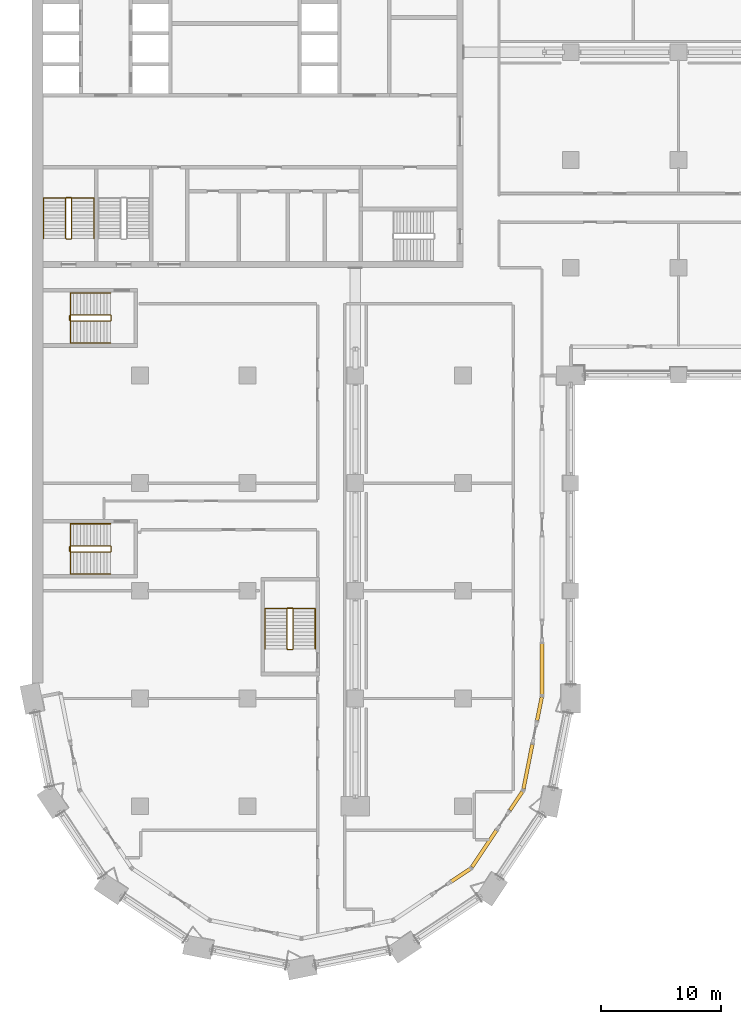
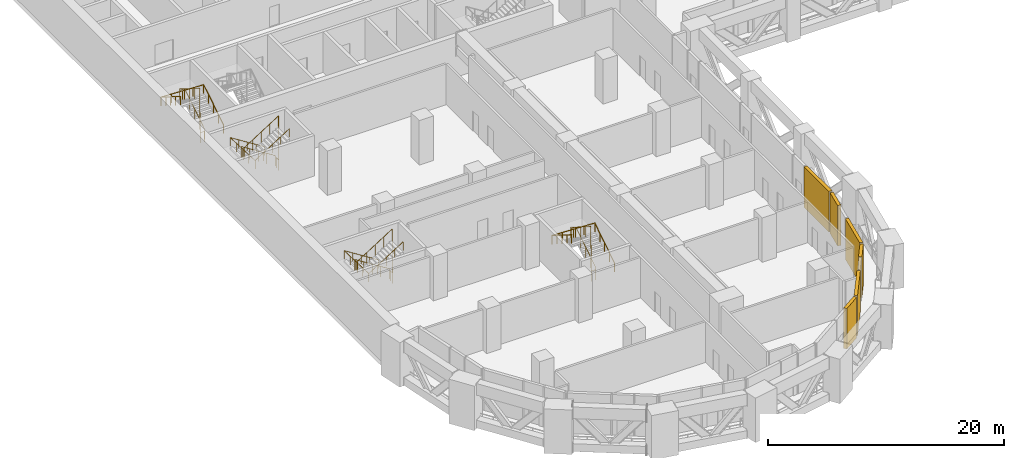
# One storey, part 21 of 24: 8 railings, 6 shading devices.
"""IFC4 building model written with IfcOpenShell, lengths in metres."""

from ifc_helpers import new_model, si_unit, direction, frame, origin, origin_2d, place, context, subcontext, project, spatial, rectangle, circle, extrude, material, layer, layer_set, type_object, element, save


model = new_model("IFC4")

# Units and contexts
model_context = context("Model", 3, precision=1e-05, world=origin(), true_north=direction((0.0, 1.0)))
body_context = subcontext(model_context, "Body", "Model", "MODEL_VIEW")
ifc_project = project(units=[si_unit("LENGTHUNIT", "METRE"), si_unit("AREAUNIT", "SQUARE_METRE"), si_unit("VOLUMEUNIT", "CUBIC_METRE"), si_unit("PLANEANGLEUNIT", "RADIAN"), si_unit("MASSUNIT", "GRAM", prefix="KILO")], contexts=[model_context])

# Site, building, storey
site_placement = place(None, origin())
site = spatial("IfcSite", under=ifc_project, at=site_placement, CompositionType="ELEMENT")
building_placement = place(site_placement, origin())
building = spatial("IfcBuilding", under=site, at=building_placement, Name="Hunhe Ridgeline Campus", CompositionType="ELEMENT")
storey_placement = place(building_placement, frame((0.0, 0.0, 80.199951171875)))
storey = spatial("IfcBuildingStorey", under=building, at=storey_placement, Name="L19", CompositionType="ELEMENT", Elevation=80.199951171875)

# Shading devices
ifc_material_1 = material(Name="Aluminium 6063", Category="aluminium")
ifc_layer = layer(ifc_material_1, 0.300048828125)
ifc_layer_set = layer_set([ifc_layer], Name="Louvre bank 300 Aluminium 6063")
shading_device_type = type_object("IfcShadingDeviceType", Name="Louvre bank 300 Aluminium 6063", PredefinedType="USERDEFINED", material=ifc_layer_set)
shading_device_1_placement = place(storey_placement, frame((35.80078125, 12.234375, 0.0), z_axis=(0.0, 0.0, 1.0), x_axis=(0.831469622629, 0.555570217564, 0.0)))
element("IfcShadingDevice", 1, at=shading_device_1_placement, inside=storey, type_object=shading_device_type, Name="Louvre bank 12", ObjectType="LOUVRE", PredefinedType="USERDEFINED", context=body_context, shape_type="SweptSolid", body=[
    extrude(rectangle(XDim=1.871826171875, YDim=0.300048828125, at=origin_2d()), origin(), (0.0, 0.0, 1.0), 4.199951171875),
])
shading_device_2_placement = place(storey_placement, frame((37.765625, 14.447509765625, 0.0), z_axis=(0.0, 0.0, 1.0), x_axis=(0.555570362959, 0.83146952548, 0.0)))
element("IfcShadingDevice", 2, at=shading_device_2_placement, inside=storey, type_object=shading_device_type, Name="Louvre bank 13", ObjectType="LOUVRE", PredefinedType="USERDEFINED", context=body_context, shape_type="SweptSolid", body=[
    extrude(rectangle(XDim=3.671875, YDim=0.300048828125, at=origin_2d()), origin(), (0.0, 0.0, 1.0), 4.199951171875),
])
shading_device_3_placement = place(storey_placement, frame((40.43896484375, 18.448486328125, 0.0), z_axis=(0.0, 0.0, 1.0), x_axis=(0.555570217564, 0.831469622629, 0.0)))
element("IfcShadingDevice", 3, at=shading_device_3_placement, inside=storey, type_object=shading_device_type, Name="Louvre bank 14", ObjectType="LOUVRE", PredefinedType="USERDEFINED", context=body_context, shape_type="SweptSolid", body=[
    extrude(rectangle(XDim=1.871826171875, YDim=0.300048828125, at=origin_2d()), origin(), (0.0, 0.0, 1.0), 4.199951171875),
])
shading_device_4_placement = place(storey_placement, frame((41.4189453125, 21.303955078125, 0.0), z_axis=(0.0, 0.0, 1.0), x_axis=(0.195090179937, 0.980785308664, 0.0)))
element("IfcShadingDevice", 4, at=shading_device_4_placement, inside=storey, type_object=shading_device_type, Name="Louvre bank 15", ObjectType="LOUVRE", PredefinedType="USERDEFINED", context=body_context, shape_type="SweptSolid", body=[
    extrude(rectangle(XDim=3.79248046875, YDim=0.300048828125, at=origin_2d()), origin(), (0.0, 0.0, 1.0), 4.199951171875),
])
shading_device_5_placement = place(storey_placement, frame((42.38134765625, 26.1416015625, 0.0), z_axis=(0.0, 0.0, 1.0), x_axis=(0.195090357587, 0.980785273328, 0.0)))
element("IfcShadingDevice", 5, at=shading_device_5_placement, inside=storey, type_object=shading_device_type, Name="Louvre bank 16", ObjectType="LOUVRE", PredefinedType="USERDEFINED", context=body_context, shape_type="SweptSolid", body=[
    extrude(rectangle(XDim=1.992431640625, YDim=0.300048828125, at=origin_2d()), origin(), (0.0, 0.0, 1.0), 4.199951171875),
])
shading_device_6_placement = place(storey_placement, frame((42.59912109375, 29.466796875, 0.0), z_axis=(0.0, 0.0, 1.0), x_axis=(1.0984806e-05, 0.99999999994, 0.0)))
element("IfcShadingDevice", 6, at=shading_device_6_placement, inside=storey, type_object=shading_device_type, Name="Louvre bank 17", ObjectType="LOUVRE", PredefinedType="USERDEFINED", context=body_context, shape_type="SweptSolid", body=[
    extrude(rectangle(XDim=4.220703125, YDim=0.300048828125, at=origin_2d()), origin(), (0.0, 0.0, 1.0), 4.199951171875),
])

# Railings
ifc_material_2 = material(Name="Stainless steel balustrade", Category="steel")
railing_type_1 = type_object("IfcRailingType", Name="Stair guard 1100 stainless", PredefinedType="GUARDRAIL", material=ifc_material_2)
railing_1_placement = place(storey_placement, frame((3.300048828125, 65.449951171875, 0.177001953125)))
element("IfcRailing", 7, at=railing_1_placement, inside=storey, type_object=railing_type_1, Name="L19 stair S3 guard", PredefinedType="GUARDRAIL", context=body_context, shape_type="SweptSolid", body=[
    extrude(circle(Radius=0.02392578125, at=origin_2d()), frame((0.0, 0.0, 1.076171875), z_axis=(0.0, 0.845389635667, 0.534150132366), x_axis=(-1.0, 0.0, 0.0)), (0.0, 0.0, 1.0), 3.974609375),
    extrude(circle(Radius=0.02392578125, at=origin_2d()), frame((0.0, 3.360107421875, 3.19921875), z_axis=(-0.707106781187, 0.707106781187, 0.0), x_axis=(-0.707106781187, -0.707106781187, 0.0)), (0.0, 0.0, 1.0), 0.07080078125),
    extrude(circle(Radius=0.02392578125, at=origin_2d()), frame((-0.050048828125, 3.41015625, 3.19921875), z_axis=(-1.0, 0.0, 0.0), x_axis=(0.0, -1.0, 0.0)), (0.0, 0.0, 1.0), 0.39990234375),
    extrude(circle(Radius=0.02392578125, at=origin_2d()), frame((-0.449951171875, 3.41015625, 3.19921875), z_axis=(-0.262545553595, -0.262545553595, 0.928514762713), x_axis=(0.707106781187, -0.707106781187, 0.0)), (0.0, 0.0, 1.0), 0.190673828125),
    extrude(circle(Radius=0.02392578125, at=origin_2d()), frame((-0.5, 3.360107421875, 3.3759765625), z_axis=(0.0, -0.845389635667, 0.534150132366), x_axis=(1.0, 0.0, 0.0)), (0.0, 0.0, 1.0), 3.974609375),
    extrude(circle(Radius=0.02392578125, at=origin_2d()), frame((-0.5, 0.0, 5.4990234375), z_axis=(0.010878661383, -0.010878661383, -0.999881647723), x_axis=(0.707106781187, 0.707106781187, 0.0)), (0.0, 0.0, 1.0), 4.6005859375),
    extrude(circle(Radius=0.02392578125, at=origin_2d()), frame((-0.449951171875, -0.050048828125, 0.89892578125), z_axis=(1.0, 0.0, 0.0), x_axis=(0.0, 1.0, 0.0)), (0.0, 0.0, 1.0), 0.39990234375),
    extrude(circle(Radius=0.02099609375, at=origin_2d()), origin(), (0.0, 0.0, 1.0), 1.052001953125),
    extrude(circle(Radius=0.02099609375, at=origin_2d()), frame((0.0, 0.840087890625, 0.53076171875)), (0.0, 0.0, 1.0), 1.052001953125),
    extrude(circle(Radius=0.02099609375, at=origin_2d()), frame((0.0, 1.68017578125, 1.0615234375)), (0.0, 0.0, 1.0), 1.052001953125),
    extrude(circle(Radius=0.02099609375, at=origin_2d()), frame((0.0, 2.52001953125, 1.59228515625)), (0.0, 0.0, 1.0), 1.052001953125),
    extrude(circle(Radius=0.02099609375, at=origin_2d()), frame((0.0, 3.360107421875, 2.123046875)), (0.0, 0.0, 1.0), 1.052001953125),
    extrude(circle(Radius=0.02099609375, at=origin_2d()), frame((-0.050048828125, 3.41015625, 2.123046875)), (0.0, 0.0, 1.0), 1.052001953125),
    extrude(circle(Radius=0.02099609375, at=origin_2d()), frame((-0.449951171875, 3.41015625, 2.123046875)), (0.0, 0.0, 1.0), 1.052001953125),
    extrude(circle(Radius=0.02099609375, at=origin_2d()), frame((-0.5, 3.360107421875, 2.300048828125)), (0.0, 0.0, 1.0), 1.052001953125),
    extrude(circle(Radius=0.02099609375, at=origin_2d()), frame((-0.5, 2.52001953125, 2.830810546875)), (0.0, 0.0, 1.0), 1.052001953125),
    extrude(circle(Radius=0.02099609375, at=origin_2d()), frame((-0.5, 1.68017578125, 3.361572265625)), (0.0, 0.0, 1.0), 1.052001953125),
    extrude(circle(Radius=0.02099609375, at=origin_2d()), frame((-0.5, 0.840087890625, 3.892333984375)), (0.0, 0.0, 1.0), 1.052001953125),
    extrude(circle(Radius=0.02099609375, at=origin_2d()), frame((-0.5, 0.0, 4.423095703125)), (0.0, 0.0, 1.0), 1.052001953125),
    extrude(circle(Radius=0.02099609375, at=origin_2d()), frame((-0.487548828125, -0.012451171875, 3.27294921875)), (0.0, 0.0, 1.0), 1.052001953125),
    extrude(circle(Radius=0.02099609375, at=origin_2d()), frame((-0.47509765625, -0.02490234375, 2.123046875)), (0.0, 0.0, 1.0), 1.052001953125),
    extrude(circle(Radius=0.02099609375, at=origin_2d()), frame((-0.46240234375, -0.03759765625, 0.97314453125)), (0.0, 0.0, 1.0), 1.052001953125),
    extrude(circle(Radius=0.02099609375, at=origin_2d()), frame((-0.449951171875, -0.050048828125, -0.177001953125)), (0.0, 0.0, 1.0), 1.052001953125),
    extrude(circle(Radius=0.02099609375, at=origin_2d()), frame((-0.050048828125, -0.050048828125, -0.177001953125)), (0.0, 0.0, 1.0), 1.052001953125),
])
railing_2_placement = place(storey_placement, frame((21.800048828125, 31.14990234375, 0.177001953125)))
element("IfcRailing", 8, at=railing_2_placement, inside=storey, type_object=railing_type_1, Name="L19 stair W3 guard", PredefinedType="GUARDRAIL", context=body_context, shape_type="SweptSolid", body=[
    extrude(circle(Radius=0.02392578125, at=origin_2d()), frame((0.0, 0.0, 1.076171875), z_axis=(0.0, 0.845389635667, 0.534150132366), x_axis=(-1.0, 0.0, 0.0)), (0.0, 0.0, 1.0), 3.974609375),
    extrude(circle(Radius=0.02392578125, at=origin_2d()), frame((0.0, 3.360107421875, 3.19921875), z_axis=(-0.707106781187, 0.707106781187, 0.0), x_axis=(-0.707106781187, -0.707106781187, 0.0)), (0.0, 0.0, 1.0), 0.07080078125),
    extrude(circle(Radius=0.02392578125, at=origin_2d()), frame((-0.050048828125, 3.41015625, 3.19921875), z_axis=(-1.0, 0.0, 0.0), x_axis=(0.0, -1.0, 0.0)), (0.0, 0.0, 1.0), 0.39990234375),
    extrude(circle(Radius=0.02392578125, at=origin_2d()), frame((-0.449951171875, 3.41015625, 3.19921875), z_axis=(-0.262545553595, -0.262545553595, 0.928514762713), x_axis=(0.707106781187, -0.707106781187, 0.0)), (0.0, 0.0, 1.0), 0.190673828125),
    extrude(circle(Radius=0.02392578125, at=origin_2d()), frame((-0.5, 3.360107421875, 3.3759765625), z_axis=(0.0, -0.845389635667, 0.534150132366), x_axis=(1.0, 0.0, 0.0)), (0.0, 0.0, 1.0), 3.974609375),
    extrude(circle(Radius=0.02392578125, at=origin_2d()), frame((-0.5, 0.0, 5.4990234375), z_axis=(0.010878667648, -0.010825600977, -0.999882223541), x_axis=(0.705375805398, 0.708833529934, 0.0)), (0.0, 0.0, 1.0), 4.6005859375),
    extrude(circle(Radius=0.02392578125, at=origin_2d()), frame((-0.449951171875, -0.0498046875, 0.89892578125), z_axis=(1.0, 0.0, 0.0), x_axis=(0.0, 1.0, 0.0)), (0.0, 0.0, 1.0), 0.39990234375),
    extrude(circle(Radius=0.02099609375, at=origin_2d()), origin(), (0.0, 0.0, 1.0), 1.052001953125),
    extrude(circle(Radius=0.02099609375, at=origin_2d()), frame((0.0, 0.840087890625, 0.53076171875)), (0.0, 0.0, 1.0), 1.052001953125),
    extrude(circle(Radius=0.02099609375, at=origin_2d()), frame((0.0, 1.68017578125, 1.0615234375)), (0.0, 0.0, 1.0), 1.052001953125),
    extrude(circle(Radius=0.02099609375, at=origin_2d()), frame((0.0, 2.52001953125, 1.59228515625)), (0.0, 0.0, 1.0), 1.052001953125),
    extrude(circle(Radius=0.02099609375, at=origin_2d()), frame((0.0, 3.360107421875, 2.123046875)), (0.0, 0.0, 1.0), 1.052001953125),
    extrude(circle(Radius=0.02099609375, at=origin_2d()), frame((-0.050048828125, 3.41015625, 2.123046875)), (0.0, 0.0, 1.0), 1.052001953125),
    extrude(circle(Radius=0.02099609375, at=origin_2d()), frame((-0.449951171875, 3.41015625, 2.123046875)), (0.0, 0.0, 1.0), 1.052001953125),
    extrude(circle(Radius=0.02099609375, at=origin_2d()), frame((-0.5, 3.360107421875, 2.300048828125)), (0.0, 0.0, 1.0), 1.052001953125),
    extrude(circle(Radius=0.02099609375, at=origin_2d()), frame((-0.5, 2.52001953125, 2.830810546875)), (0.0, 0.0, 1.0), 1.052001953125),
    extrude(circle(Radius=0.02099609375, at=origin_2d()), frame((-0.5, 1.68017578125, 3.361572265625)), (0.0, 0.0, 1.0), 1.052001953125),
    extrude(circle(Radius=0.02099609375, at=origin_2d()), frame((-0.5, 0.840087890625, 3.892333984375)), (0.0, 0.0, 1.0), 1.052001953125),
    extrude(circle(Radius=0.02099609375, at=origin_2d()), frame((-0.5, 0.0, 4.423095703125)), (0.0, 0.0, 1.0), 1.052001953125),
    extrude(circle(Radius=0.02099609375, at=origin_2d()), frame((-0.487548828125, -0.012451171875, 3.27294921875)), (0.0, 0.0, 1.0), 1.052001953125),
    extrude(circle(Radius=0.02099609375, at=origin_2d()), frame((-0.47509765625, -0.02490234375, 2.123046875)), (0.0, 0.0, 1.0), 1.052001953125),
    extrude(circle(Radius=0.02099609375, at=origin_2d()), frame((-0.46240234375, -0.037353515625, 0.97314453125)), (0.0, 0.0, 1.0), 1.052001953125),
    extrude(circle(Radius=0.02099609375, at=origin_2d()), frame((-0.449951171875, -0.0498046875, -0.177001953125)), (0.0, 0.0, 1.0), 1.052001953125),
    extrude(circle(Radius=0.02099609375, at=origin_2d()), frame((-0.050048828125, -0.0498046875, -0.177001953125)), (0.0, 0.0, 1.0), 1.052001953125),
])
railing_3_placement = place(storey_placement, frame((6.550048828125, 39.75, 0.177001953125)))
element("IfcRailing", 9, at=railing_3_placement, inside=storey, type_object=railing_type_1, Name="L19 stair W1 guard", PredefinedType="GUARDRAIL", context=body_context, shape_type="SweptSolid", body=[
    extrude(circle(Radius=0.02392578125, at=origin_2d()), frame((0.0, 0.0, 1.076171875), z_axis=(-0.845389635667, 0.0, 0.534150132366), x_axis=(0.0, -1.0, 0.0)), (0.0, 0.0, 1.0), 3.974609375),
    extrude(circle(Radius=0.02392578125, at=origin_2d()), frame((-3.360107421875, 0.0, 3.19921875), z_axis=(-0.707106781187, -0.707106781187, 0.0), x_axis=(0.707106781187, -0.707106781187, 0.0)), (0.0, 0.0, 1.0), 0.07080078125),
    extrude(circle(Radius=0.02392578125, at=origin_2d()), frame((-3.41015625, -0.050048828125, 3.19921875), z_axis=(0.0, -1.0, 0.0), x_axis=(1.0, 0.0, 0.0)), (0.0, 0.0, 1.0), 0.39990234375),
    extrude(circle(Radius=0.02392578125, at=origin_2d()), frame((-3.41015625, -0.449951171875, 3.19921875), z_axis=(0.262545553595, -0.262545553595, 0.928514762713), x_axis=(0.707106781187, 0.707106781187, 0.0)), (0.0, 0.0, 1.0), 0.190673828125),
    extrude(circle(Radius=0.02392578125, at=origin_2d()), frame((-3.360107421875, -0.5, 3.3759765625), z_axis=(0.845389635667, 0.0, 0.534150132366), x_axis=(0.0, 1.0, 0.0)), (0.0, 0.0, 1.0), 3.974609375),
    extrude(circle(Radius=0.02392578125, at=origin_2d()), frame((0.0, -0.5, 5.4990234375), z_axis=(0.010878661383, 0.010878661383, -0.999881647723), x_axis=(-0.707106781187, 0.707106781187, 0.0)), (0.0, 0.0, 1.0), 4.6005859375),
    extrude(circle(Radius=0.02392578125, at=origin_2d()), frame((0.050048828125, -0.449951171875, 0.89892578125), z_axis=(0.0, 1.0, 0.0), x_axis=(-1.0, 0.0, 0.0)), (0.0, 0.0, 1.0), 0.39990234375),
    extrude(circle(Radius=0.02099609375, at=origin_2d()), origin(), (0.0, 0.0, 1.0), 1.052001953125),
    extrude(circle(Radius=0.02099609375, at=origin_2d()), frame((-0.840087890625, 0.0, 0.53076171875)), (0.0, 0.0, 1.0), 1.052001953125),
    extrude(circle(Radius=0.02099609375, at=origin_2d()), frame((-1.68017578125, 0.0, 1.0615234375)), (0.0, 0.0, 1.0), 1.052001953125),
    extrude(circle(Radius=0.02099609375, at=origin_2d()), frame((-2.52001953125, 0.0, 1.59228515625)), (0.0, 0.0, 1.0), 1.052001953125),
    extrude(circle(Radius=0.02099609375, at=origin_2d()), frame((-3.360107421875, 0.0, 2.123046875)), (0.0, 0.0, 1.0), 1.052001953125),
    extrude(circle(Radius=0.02099609375, at=origin_2d()), frame((-3.41015625, -0.050048828125, 2.123046875)), (0.0, 0.0, 1.0), 1.052001953125),
    extrude(circle(Radius=0.02099609375, at=origin_2d()), frame((-3.41015625, -0.449951171875, 2.123046875)), (0.0, 0.0, 1.0), 1.052001953125),
    extrude(circle(Radius=0.02099609375, at=origin_2d()), frame((-3.360107421875, -0.5, 2.300048828125)), (0.0, 0.0, 1.0), 1.052001953125),
    extrude(circle(Radius=0.02099609375, at=origin_2d()), frame((-2.52001953125, -0.5, 2.830810546875)), (0.0, 0.0, 1.0), 1.052001953125),
    extrude(circle(Radius=0.02099609375, at=origin_2d()), frame((-1.68017578125, -0.5, 3.361572265625)), (0.0, 0.0, 1.0), 1.052001953125),
    extrude(circle(Radius=0.02099609375, at=origin_2d()), frame((-0.840087890625, -0.5, 3.892333984375)), (0.0, 0.0, 1.0), 1.052001953125),
    extrude(circle(Radius=0.02099609375, at=origin_2d()), frame((0.0, -0.5, 4.423095703125)), (0.0, 0.0, 1.0), 1.052001953125),
    extrude(circle(Radius=0.02099609375, at=origin_2d()), frame((0.012451171875, -0.487548828125, 3.27294921875)), (0.0, 0.0, 1.0), 1.052001953125),
    extrude(circle(Radius=0.02099609375, at=origin_2d()), frame((0.02490234375, -0.47509765625, 2.123046875)), (0.0, 0.0, 1.0), 1.052001953125),
    extrude(circle(Radius=0.02099609375, at=origin_2d()), frame((0.03759765625, -0.46240234375, 0.97314453125)), (0.0, 0.0, 1.0), 1.052001953125),
    extrude(circle(Radius=0.02099609375, at=origin_2d()), frame((0.050048828125, -0.449951171875, -0.177001953125)), (0.0, 0.0, 1.0), 1.052001953125),
    extrude(circle(Radius=0.02099609375, at=origin_2d()), frame((0.050048828125, -0.050048828125, -0.177001953125)), (0.0, 0.0, 1.0), 1.052001953125),
])
railing_4_placement = place(storey_placement, frame((6.550048828125, 59.050048828125, 0.177001953125)))
element("IfcRailing", 10, at=railing_4_placement, inside=storey, type_object=railing_type_1, Name="L19 stair W2 guard", PredefinedType="GUARDRAIL", context=body_context, shape_type="SweptSolid", body=[
    extrude(circle(Radius=0.02392578125, at=origin_2d()), frame((0.0, 0.0, 1.076171875), z_axis=(-0.845389635667, 0.0, 0.534150132366), x_axis=(0.0, -1.0, 0.0)), (0.0, 0.0, 1.0), 3.974609375),
    extrude(circle(Radius=0.02392578125, at=origin_2d()), frame((-3.360107421875, 0.0, 3.19921875), z_axis=(-0.707106781187, -0.707106781187, 0.0), x_axis=(0.707106781187, -0.707106781187, 0.0)), (0.0, 0.0, 1.0), 0.07080078125),
    extrude(circle(Radius=0.02392578125, at=origin_2d()), frame((-3.41015625, -0.050048828125, 3.19921875), z_axis=(0.0, -1.0, 0.0), x_axis=(1.0, 0.0, 0.0)), (0.0, 0.0, 1.0), 0.39990234375),
    extrude(circle(Radius=0.02392578125, at=origin_2d()), frame((-3.41015625, -0.449951171875, 3.19921875), z_axis=(0.262545553595, -0.262545553595, 0.928514762713), x_axis=(0.707106781187, 0.707106781187, 0.0)), (0.0, 0.0, 1.0), 0.190673828125),
    extrude(circle(Radius=0.02392578125, at=origin_2d()), frame((-3.360107421875, -0.5, 3.3759765625), z_axis=(0.845389635667, 0.0, 0.534150132366), x_axis=(0.0, 1.0, 0.0)), (0.0, 0.0, 1.0), 3.974609375),
    extrude(circle(Radius=0.02392578125, at=origin_2d()), frame((0.0, -0.5, 5.4990234375), z_axis=(0.010878661383, 0.010878661383, -0.999881647723), x_axis=(-0.707106781187, 0.707106781187, 0.0)), (0.0, 0.0, 1.0), 4.6005859375),
    extrude(circle(Radius=0.02392578125, at=origin_2d()), frame((0.050048828125, -0.449951171875, 0.89892578125), z_axis=(0.0, 1.0, 0.0), x_axis=(-1.0, 0.0, 0.0)), (0.0, 0.0, 1.0), 0.39990234375),
    extrude(circle(Radius=0.02099609375, at=origin_2d()), origin(), (0.0, 0.0, 1.0), 1.052001953125),
    extrude(circle(Radius=0.02099609375, at=origin_2d()), frame((-0.840087890625, 0.0, 0.53076171875)), (0.0, 0.0, 1.0), 1.052001953125),
    extrude(circle(Radius=0.02099609375, at=origin_2d()), frame((-1.68017578125, 0.0, 1.0615234375)), (0.0, 0.0, 1.0), 1.052001953125),
    extrude(circle(Radius=0.02099609375, at=origin_2d()), frame((-2.52001953125, 0.0, 1.59228515625)), (0.0, 0.0, 1.0), 1.052001953125),
    extrude(circle(Radius=0.02099609375, at=origin_2d()), frame((-3.360107421875, 0.0, 2.123046875)), (0.0, 0.0, 1.0), 1.052001953125),
    extrude(circle(Radius=0.02099609375, at=origin_2d()), frame((-3.41015625, -0.050048828125, 2.123046875)), (0.0, 0.0, 1.0), 1.052001953125),
    extrude(circle(Radius=0.02099609375, at=origin_2d()), frame((-3.41015625, -0.449951171875, 2.123046875)), (0.0, 0.0, 1.0), 1.052001953125),
    extrude(circle(Radius=0.02099609375, at=origin_2d()), frame((-3.360107421875, -0.5, 2.300048828125)), (0.0, 0.0, 1.0), 1.052001953125),
    extrude(circle(Radius=0.02099609375, at=origin_2d()), frame((-2.52001953125, -0.5, 2.830810546875)), (0.0, 0.0, 1.0), 1.052001953125),
    extrude(circle(Radius=0.02099609375, at=origin_2d()), frame((-1.68017578125, -0.5, 3.361572265625)), (0.0, 0.0, 1.0), 1.052001953125),
    extrude(circle(Radius=0.02099609375, at=origin_2d()), frame((-0.840087890625, -0.5, 3.892333984375)), (0.0, 0.0, 1.0), 1.052001953125),
    extrude(circle(Radius=0.02099609375, at=origin_2d()), frame((0.0, -0.5, 4.423095703125)), (0.0, 0.0, 1.0), 1.052001953125),
    extrude(circle(Radius=0.02099609375, at=origin_2d()), frame((0.012451171875, -0.487548828125, 3.27294921875)), (0.0, 0.0, 1.0), 1.052001953125),
    extrude(circle(Radius=0.02099609375, at=origin_2d()), frame((0.02490234375, -0.47509765625, 2.123046875)), (0.0, 0.0, 1.0), 1.052001953125),
    extrude(circle(Radius=0.02099609375, at=origin_2d()), frame((0.03759765625, -0.46240234375, 0.97314453125)), (0.0, 0.0, 1.0), 1.052001953125),
    extrude(circle(Radius=0.02099609375, at=origin_2d()), frame((0.050048828125, -0.449951171875, -0.177001953125)), (0.0, 0.0, 1.0), 1.052001953125),
    extrude(circle(Radius=0.02099609375, at=origin_2d()), frame((0.050048828125, -0.050048828125, -0.177001953125)), (0.0, 0.0, 1.0), 1.052001953125),
])
ifc_material_3 = material(Name="Stainless steel handrail", Category="steel")
railing_type_2 = type_object("IfcRailingType", Name="Stair handrail 900 stainless", PredefinedType="HANDRAIL", material=ifc_material_3)
railing_5_placement = place(storey_placement, frame((5.14990234375, 65.449951171875, 0.177001953125)))
element("IfcRailing", 11, at=railing_5_placement, inside=storey, type_object=railing_type_2, Name="L19 stair S3 handrail", PredefinedType="HANDRAIL", context=body_context, shape_type="SweptSolid", body=[
    extrude(circle(Radius=0.02392578125, at=origin_2d()), frame((0.0, 0.0, 0.8759765625), z_axis=(0.0, 0.845389635667, 0.534150132366), x_axis=(-1.0, 0.0, 0.0)), (0.0, 0.0, 1.0), 3.974609375),
    extrude(circle(Radius=0.02392578125, at=origin_2d()), frame((0.0, 3.360107421875, 2.9990234375), z_axis=(-0.999113130752, 0.0, 0.042106436075), x_axis=(0.0, -1.0, 0.0)), (0.0, 0.0, 1.0), 4.20361328125),
    extrude(circle(Radius=0.02392578125, at=origin_2d()), frame((-4.199951171875, 3.360107421875, 3.17578125), z_axis=(0.0, -0.845389635667, 0.534150132366), x_axis=(1.0, 0.0, 0.0)), (0.0, 0.0, 1.0), 3.974609375),
    extrude(circle(Radius=0.02099609375, at=origin_2d()), origin(), (0.0, 0.0, 1.0), 0.851806640625),
    extrude(circle(Radius=0.02099609375, at=origin_2d()), frame((0.0, 0.840087890625, 0.53076171875)), (0.0, 0.0, 1.0), 0.851806640625),
    extrude(circle(Radius=0.02099609375, at=origin_2d()), frame((0.0, 1.68017578125, 1.0615234375)), (0.0, 0.0, 1.0), 0.851806640625),
    extrude(circle(Radius=0.02099609375, at=origin_2d()), frame((0.0, 2.52001953125, 1.59228515625)), (0.0, 0.0, 1.0), 0.851806640625),
    extrude(circle(Radius=0.02099609375, at=origin_2d()), frame((0.0, 3.360107421875, 2.123046875)), (0.0, 0.0, 1.0), 0.851806640625),
    extrude(circle(Radius=0.02099609375, at=origin_2d()), frame((-1.050048828125, 3.360107421875, 2.167236328125)), (0.0, 0.0, 1.0), 0.851806640625),
    extrude(circle(Radius=0.02099609375, at=origin_2d()), frame((-2.10009765625, 3.360107421875, 2.21142578125)), (0.0, 0.0, 1.0), 0.851806640625),
    extrude(circle(Radius=0.02099609375, at=origin_2d()), frame((-3.14990234375, 3.360107421875, 2.255859375)), (0.0, 0.0, 1.0), 0.851806640625),
    extrude(circle(Radius=0.02099609375, at=origin_2d()), frame((-4.199951171875, 3.360107421875, 2.300048828125)), (0.0, 0.0, 1.0), 0.851806640625),
    extrude(circle(Radius=0.02099609375, at=origin_2d()), frame((-4.199951171875, 2.52001953125, 2.830810546875)), (0.0, 0.0, 1.0), 0.851806640625),
    extrude(circle(Radius=0.02099609375, at=origin_2d()), frame((-4.199951171875, 1.68017578125, 3.361572265625)), (0.0, 0.0, 1.0), 0.851806640625),
    extrude(circle(Radius=0.02099609375, at=origin_2d()), frame((-4.199951171875, 0.840087890625, 3.892333984375)), (0.0, 0.0, 1.0), 0.851806640625),
    extrude(circle(Radius=0.02099609375, at=origin_2d()), frame((-4.199951171875, 0.0, 4.423095703125)), (0.0, 0.0, 1.0), 0.851806640625),
])
railing_6_placement = place(storey_placement, frame((23.64990234375, 31.14990234375, 0.177001953125)))
element("IfcRailing", 12, at=railing_6_placement, inside=storey, type_object=railing_type_2, Name="L19 stair W3 handrail", PredefinedType="HANDRAIL", context=body_context, shape_type="SweptSolid", body=[
    extrude(circle(Radius=0.02392578125, at=origin_2d()), frame((0.0, 0.0, 0.8759765625), z_axis=(0.0, 0.845389635667, 0.534150132366), x_axis=(-1.0, 0.0, 0.0)), (0.0, 0.0, 1.0), 3.974609375),
    extrude(circle(Radius=0.02392578125, at=origin_2d()), frame((0.0, 3.360107421875, 2.9990234375), z_axis=(-0.999113130752, 0.0, 0.042106436075), x_axis=(0.0, -1.0, 0.0)), (0.0, 0.0, 1.0), 4.20361328125),
    extrude(circle(Radius=0.02392578125, at=origin_2d()), frame((-4.199951171875, 3.360107421875, 3.17578125), z_axis=(0.0, -0.845389635667, 0.534150132366), x_axis=(1.0, 0.0, 0.0)), (0.0, 0.0, 1.0), 3.974609375),
    extrude(circle(Radius=0.02099609375, at=origin_2d()), origin(), (0.0, 0.0, 1.0), 0.851806640625),
    extrude(circle(Radius=0.02099609375, at=origin_2d()), frame((0.0, 0.840087890625, 0.53076171875)), (0.0, 0.0, 1.0), 0.851806640625),
    extrude(circle(Radius=0.02099609375, at=origin_2d()), frame((0.0, 1.68017578125, 1.0615234375)), (0.0, 0.0, 1.0), 0.851806640625),
    extrude(circle(Radius=0.02099609375, at=origin_2d()), frame((0.0, 2.52001953125, 1.59228515625)), (0.0, 0.0, 1.0), 0.851806640625),
    extrude(circle(Radius=0.02099609375, at=origin_2d()), frame((0.0, 3.360107421875, 2.123046875)), (0.0, 0.0, 1.0), 0.851806640625),
    extrude(circle(Radius=0.02099609375, at=origin_2d()), frame((-1.050048828125, 3.360107421875, 2.167236328125)), (0.0, 0.0, 1.0), 0.851806640625),
    extrude(circle(Radius=0.02099609375, at=origin_2d()), frame((-2.10009765625, 3.360107421875, 2.21142578125)), (0.0, 0.0, 1.0), 0.851806640625),
    extrude(circle(Radius=0.02099609375, at=origin_2d()), frame((-3.14990234375, 3.360107421875, 2.255859375)), (0.0, 0.0, 1.0), 0.851806640625),
    extrude(circle(Radius=0.02099609375, at=origin_2d()), frame((-4.199951171875, 3.360107421875, 2.300048828125)), (0.0, 0.0, 1.0), 0.851806640625),
    extrude(circle(Radius=0.02099609375, at=origin_2d()), frame((-4.199951171875, 2.52001953125, 2.830810546875)), (0.0, 0.0, 1.0), 0.851806640625),
    extrude(circle(Radius=0.02099609375, at=origin_2d()), frame((-4.199951171875, 1.68017578125, 3.361572265625)), (0.0, 0.0, 1.0), 0.851806640625),
    extrude(circle(Radius=0.02099609375, at=origin_2d()), frame((-4.199951171875, 0.840087890625, 3.892333984375)), (0.0, 0.0, 1.0), 0.851806640625),
    extrude(circle(Radius=0.02099609375, at=origin_2d()), frame((-4.199951171875, 0.0, 4.423095703125)), (0.0, 0.0, 1.0), 0.851806640625),
])
railing_7_placement = place(storey_placement, frame((6.550048828125, 41.60009765625, 0.177001953125)))
element("IfcRailing", 13, at=railing_7_placement, inside=storey, type_object=railing_type_2, Name="L19 stair W1 handrail", PredefinedType="HANDRAIL", context=body_context, shape_type="SweptSolid", body=[
    extrude(circle(Radius=0.02392578125, at=origin_2d()), frame((0.0, 0.0, 0.8759765625), z_axis=(-0.845389635667, 0.0, 0.534150132366), x_axis=(0.0, -1.0, 0.0)), (0.0, 0.0, 1.0), 3.974609375),
    extrude(circle(Radius=0.02392578125, at=origin_2d()), frame((-3.360107421875, 0.0, 2.9990234375), z_axis=(0.0, -0.999113233712, 0.042103992934), x_axis=(1.0, 0.0, 0.0)), (0.0, 0.0, 1.0), 4.203857421875),
    extrude(circle(Radius=0.02392578125, at=origin_2d()), frame((-3.360107421875, -4.2001953125, 3.17578125), z_axis=(0.845389635667, 0.0, 0.534150132366), x_axis=(0.0, 1.0, 0.0)), (0.0, 0.0, 1.0), 3.974609375),
    extrude(circle(Radius=0.02099609375, at=origin_2d()), origin(), (0.0, 0.0, 1.0), 0.851806640625),
    extrude(circle(Radius=0.02099609375, at=origin_2d()), frame((-0.840087890625, 0.0, 0.53076171875)), (0.0, 0.0, 1.0), 0.851806640625),
    extrude(circle(Radius=0.02099609375, at=origin_2d()), frame((-1.68017578125, 0.0, 1.0615234375)), (0.0, 0.0, 1.0), 0.851806640625),
    extrude(circle(Radius=0.02099609375, at=origin_2d()), frame((-2.52001953125, 0.0, 1.59228515625)), (0.0, 0.0, 1.0), 0.851806640625),
    extrude(circle(Radius=0.02099609375, at=origin_2d()), frame((-3.360107421875, 0.0, 2.123046875)), (0.0, 0.0, 1.0), 0.851806640625),
    extrude(circle(Radius=0.02099609375, at=origin_2d()), frame((-3.360107421875, -1.050048828125, 2.167236328125)), (0.0, 0.0, 1.0), 0.851806640625),
    extrude(circle(Radius=0.02099609375, at=origin_2d()), frame((-3.360107421875, -2.10009765625, 2.21142578125)), (0.0, 0.0, 1.0), 0.851806640625),
    extrude(circle(Radius=0.02099609375, at=origin_2d()), frame((-3.360107421875, -3.150146484375, 2.255859375)), (0.0, 0.0, 1.0), 0.851806640625),
    extrude(circle(Radius=0.02099609375, at=origin_2d()), frame((-3.360107421875, -4.2001953125, 2.300048828125)), (0.0, 0.0, 1.0), 0.851806640625),
    extrude(circle(Radius=0.02099609375, at=origin_2d()), frame((-2.52001953125, -4.2001953125, 2.830810546875)), (0.0, 0.0, 1.0), 0.851806640625),
    extrude(circle(Radius=0.02099609375, at=origin_2d()), frame((-1.68017578125, -4.2001953125, 3.361572265625)), (0.0, 0.0, 1.0), 0.851806640625),
    extrude(circle(Radius=0.02099609375, at=origin_2d()), frame((-0.840087890625, -4.2001953125, 3.892333984375)), (0.0, 0.0, 1.0), 0.851806640625),
    extrude(circle(Radius=0.02099609375, at=origin_2d()), frame((0.0, -4.2001953125, 4.423095703125)), (0.0, 0.0, 1.0), 0.851806640625),
])
railing_8_placement = place(storey_placement, frame((6.550048828125, 60.89990234375, 0.177001953125)))
element("IfcRailing", 14, at=railing_8_placement, inside=storey, type_object=railing_type_2, Name="L19 stair W2 handrail", PredefinedType="HANDRAIL", context=body_context, shape_type="SweptSolid", body=[
    extrude(circle(Radius=0.02392578125, at=origin_2d()), frame((0.0, 0.0, 0.8759765625), z_axis=(-0.845389635667, 0.0, 0.534150132366), x_axis=(0.0, -1.0, 0.0)), (0.0, 0.0, 1.0), 3.974609375),
    extrude(circle(Radius=0.02392578125, at=origin_2d()), frame((-3.360107421875, 0.0, 2.9990234375), z_axis=(0.0, -0.999113130752, 0.042106436075), x_axis=(1.0, 0.0, 0.0)), (0.0, 0.0, 1.0), 4.20361328125),
    extrude(circle(Radius=0.02392578125, at=origin_2d()), frame((-3.360107421875, -4.199951171875, 3.17578125), z_axis=(0.845389635667, 0.0, 0.534150132366), x_axis=(0.0, 1.0, 0.0)), (0.0, 0.0, 1.0), 3.974609375),
    extrude(circle(Radius=0.02099609375, at=origin_2d()), origin(), (0.0, 0.0, 1.0), 0.851806640625),
    extrude(circle(Radius=0.02099609375, at=origin_2d()), frame((-0.840087890625, 0.0, 0.53076171875)), (0.0, 0.0, 1.0), 0.851806640625),
    extrude(circle(Radius=0.02099609375, at=origin_2d()), frame((-1.68017578125, 0.0, 1.0615234375)), (0.0, 0.0, 1.0), 0.851806640625),
    extrude(circle(Radius=0.02099609375, at=origin_2d()), frame((-2.52001953125, 0.0, 1.59228515625)), (0.0, 0.0, 1.0), 0.851806640625),
    extrude(circle(Radius=0.02099609375, at=origin_2d()), frame((-3.360107421875, 0.0, 2.123046875)), (0.0, 0.0, 1.0), 0.851806640625),
    extrude(circle(Radius=0.02099609375, at=origin_2d()), frame((-3.360107421875, -1.050048828125, 2.167236328125)), (0.0, 0.0, 1.0), 0.851806640625),
    extrude(circle(Radius=0.02099609375, at=origin_2d()), frame((-3.360107421875, -2.10009765625, 2.21142578125)), (0.0, 0.0, 1.0), 0.851806640625),
    extrude(circle(Radius=0.02099609375, at=origin_2d()), frame((-3.360107421875, -3.14990234375, 2.255859375)), (0.0, 0.0, 1.0), 0.851806640625),
    extrude(circle(Radius=0.02099609375, at=origin_2d()), frame((-3.360107421875, -4.199951171875, 2.300048828125)), (0.0, 0.0, 1.0), 0.851806640625),
    extrude(circle(Radius=0.02099609375, at=origin_2d()), frame((-2.52001953125, -4.199951171875, 2.830810546875)), (0.0, 0.0, 1.0), 0.851806640625),
    extrude(circle(Radius=0.02099609375, at=origin_2d()), frame((-1.68017578125, -4.199951171875, 3.361572265625)), (0.0, 0.0, 1.0), 0.851806640625),
    extrude(circle(Radius=0.02099609375, at=origin_2d()), frame((-0.840087890625, -4.199951171875, 3.892333984375)), (0.0, 0.0, 1.0), 0.851806640625),
    extrude(circle(Radius=0.02099609375, at=origin_2d()), frame((0.0, -4.199951171875, 4.423095703125)), (0.0, 0.0, 1.0), 0.851806640625),
])

save(model, "model.ifc")
